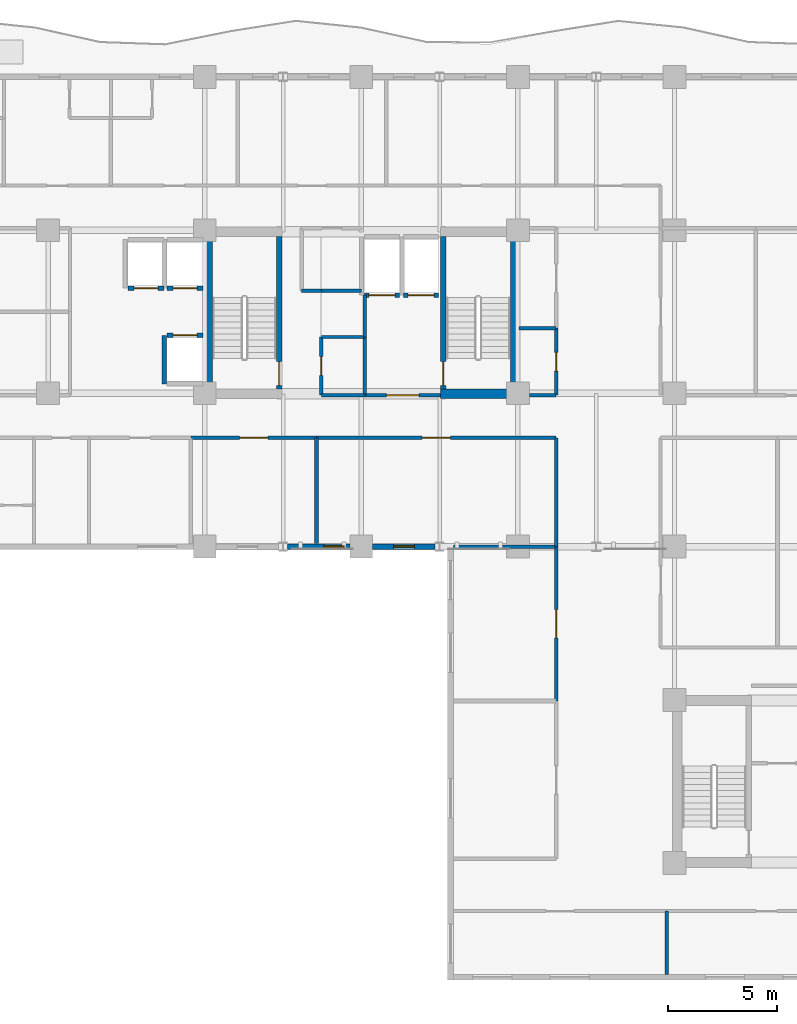
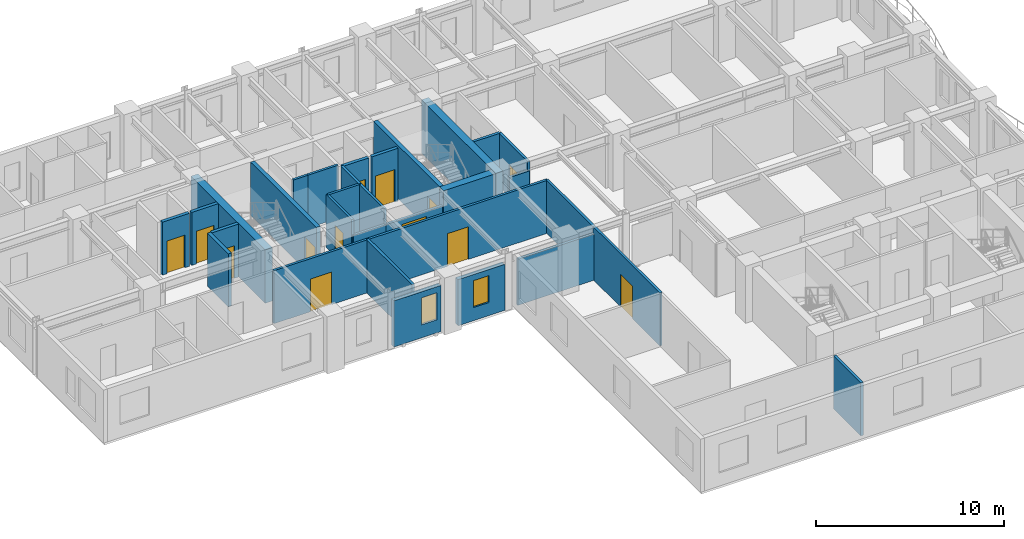
# One storey, part 5 of 13: 31 walls, 13 doors, 2 windows, 15 openings.
"""IFC4 building model written with IfcOpenShell, lengths in metres."""

from ifc_helpers import new_model, si_unit, direction, frame, frame_2d, origin, place, context, subcontext, project, spatial, rectangle, extrude, material, layer, layer_set, type_object, element, fill, save


model = new_model("IFC4")

# Units and contexts
model_context = context("Model", 3, precision=1e-05, world=origin(), true_north=direction((0.0, 1.0)))
body_context = subcontext(model_context, "Body", "Model", "MODEL_VIEW")
ifc_project = project(units=[si_unit("LENGTHUNIT", "METRE"), si_unit("AREAUNIT", "SQUARE_METRE"), si_unit("VOLUMEUNIT", "CUBIC_METRE"), si_unit("PLANEANGLEUNIT", "RADIAN"), si_unit("MASSUNIT", "GRAM", prefix="KILO")], contexts=[model_context])

# Site, building, storey
site_placement = place(None, origin())
site = spatial("IfcSite", under=ifc_project, at=site_placement, CompositionType="ELEMENT")
building_placement = place(site_placement, origin())
building = spatial("IfcBuilding", under=site, at=building_placement, Name="Kaliganga Portal Commons", CompositionType="ELEMENT")
storey_placement = place(building_placement, frame((0.0, 0.0, 158.699951171875)))
storey = spatial("IfcBuildingStorey", under=building, at=storey_placement, Name="L40", CompositionType="ELEMENT", Elevation=158.699951171875)

# Walls
ifc_material_1 = material(Name="Concrete C60/75", Category="concrete")
ifc_layer_1 = layer(ifc_material_1, 0.449951171875)
ifc_layer_set_1 = layer_set([ifc_layer_1], Name="Concrete C60/75")
wall_type_1 = type_object("IfcWallType", Name="WL-CORE-450", PredefinedType="SHEAR", material=ifc_layer_set_1)
for number, where, z_axis, x_axis, name in (
    (1, (14.52490234375, 28.39990234375, 0.0), (0.0, 0.0, 1.0), (0.0, 1.0, 0.0), "Core A West Shear Wall L40"),
    (2, (28.675048828125, 28.39990234375, 0.0), (0.0, 0.0, 1.0), (0.0, 1.0, 0.0), "Core A East Shear Wall L40"),
):
    element("IfcWall", number, at=place(storey_placement, frame(where, z_axis=z_axis, x_axis=x_axis)), inside=storey, type_object=wall_type_1, Name=name, PredefinedType="SHEAR", context=body_context, shape_type="SweptSolid", body=[
        extrude(rectangle(XDim=7.900146484375, YDim=0.449951171875, at=frame_2d((3.9501953125, 0.0))), origin(), (0.0, 0.0, 1.0), 3.4599609375),
    ])
wall_1_placement = place(storey_placement, frame((25.25, 28.625, 0.0), z_axis=(0.0, 0.0, 1.0), x_axis=(1.0, 0.0, 0.0)))
element("IfcWall", 3, at=wall_1_placement, inside=storey, type_object=wall_type_1, Name="Core A S-East Shear Wall L40", PredefinedType="SHEAR", context=body_context, shape_type="SweptSolid", body=[
    extrude(rectangle(XDim=3.199951171875, YDim=0.449951171875, at=frame_2d((1.60009765625, 0.0))), origin(), (0.0, 0.0, 1.0), 3.4599609375),
])

# Wall, opening, window
ifc_material_2 = material(Name="Insulated Aluminium-Clad Spandrel Assembly", Category="aluminium")
ifc_layer_2 = layer(ifc_material_2, 0.260009765625)
ifc_layer_set_2 = layer_set([ifc_layer_2], Name="Insulated Aluminium-Clad Spandrel Assembly")
wall_type_2 = type_object("IfcWallType", Name="WL-EXT-SPAND-260", PredefinedType="STANDARD", material=ifc_layer_set_2)
wall_2_placement = place(storey_placement, frame((21.073974609375, 21.60009765625, 0.0), z_axis=(0.0, 0.0, 1.0), x_axis=(-1.0, 0.0, 0.0)))
wall_2 = element("IfcWall", 4, at=wall_2_placement, inside=storey, type_object=wall_type_2, Name="Exterior Envelope Wall L40 P1-E04-S3", PredefinedType="STANDARD", context=body_context, shape_type="SweptSolid", body=[
    extrude(rectangle(XDim=2.87109375, YDim=0.260009765625, at=frame_2d((1.435546875, 0.0))), origin(), (0.0, 0.0, 1.0), 2.989990234375),
])
opening_1_placement = place(wall_2_placement, frame((0.24853515625, 0.0, 0.85009765625)))
opening_1 = element("IfcOpeningElement", 5, at=opening_1_placement, cuts=wall_2, Name="Opening W-04", PredefinedType="OPENING", context=body_context, shape_type="SweptSolid", body=[
    extrude(rectangle(XDim=0.949951171875, YDim=1.75, at=frame_2d((0.47509765625, 0.875))), frame((0.0, 0.14013671875, 0.0), z_axis=(0.0, -1.0, 0.0), x_axis=(1.0, 0.0, 0.0)), (0.0, 0.0, 1.0), 0.280029296875),
])
ifc_material_3 = material(Name="Thermally Broken Aluminium and Low-E Double Glazing", Category="aluminium")
window_type = type_object("IfcWindowType", Name="WIN-NARROW-950", PartitioningType="SINGLE_PANEL", PredefinedType="WINDOW", material=ifc_material_3)
window_1_placement = place(opening_1_placement, origin())
window_1 = element("IfcWindow", 6, at=window_1_placement, inside=storey, type_object=window_type, Name="Facade Window L40-P1E04S3-N1", OverallHeight=1.75, OverallWidth=0.949951171875, PartitioningType="SINGLE_PANEL", PredefinedType="WINDOW", context=body_context, shape_type="SweptSolid", body=[
    extrude(rectangle(XDim=0.949951171875, YDim=1.75, at=frame_2d((0.47509765625, 0.875))), frame((0.0, 0.030029296875, 0.0), z_axis=(0.0, -1.0, 0.0), x_axis=(1.0, 0.0, 0.0)), (0.0, 0.0, 1.0), 0.06005859375),
])
fill(opening_1, window_1)

wall_3_placement = place(storey_placement, frame((24.9970703125, 21.60009765625, 0.0), z_axis=(0.0, 0.0, 1.0), x_axis=(-1.0, 0.0, 0.0)))
wall_3 = element("IfcWall", 7, at=wall_3_placement, inside=storey, type_object=wall_type_2, Name="Exterior Envelope Wall L40 P1-E04-S4", PredefinedType="STANDARD", context=body_context, shape_type="SweptSolid", body=[
    extrude(rectangle(XDim=2.87109375, YDim=0.260009765625, at=frame_2d((1.435546875, 0.0))), origin(), (0.0, 0.0, 1.0), 2.989990234375),
])
opening_2_placement = place(wall_3_placement, frame((0.96044921875, 0.0, 0.85009765625)))
opening_2 = element("IfcOpeningElement", 8, at=opening_2_placement, cuts=wall_3, Name="Opening W-04", PredefinedType="OPENING", context=body_context, shape_type="SweptSolid", body=[
    extrude(rectangle(XDim=0.949951171875, YDim=1.75, at=frame_2d((0.47509765625, 0.875))), frame((0.0, 0.14013671875, 0.0), z_axis=(0.0, -1.0, 0.0), x_axis=(1.0, 0.0, 0.0)), (0.0, 0.0, 1.0), 0.280029296875),
])
window_2_placement = place(opening_2_placement, origin())
window_2 = element("IfcWindow", 9, at=window_2_placement, inside=storey, type_object=window_type, Name="Facade Window L40-P1E04S4-00", OverallHeight=1.75, OverallWidth=0.949951171875, PartitioningType="SINGLE_PANEL", PredefinedType="WINDOW", context=body_context, shape_type="SweptSolid", body=[
    extrude(rectangle(XDim=0.949951171875, YDim=1.75, at=frame_2d((0.47509765625, 0.875))), frame((0.0, 0.030029296875, 0.0), z_axis=(0.0, -1.0, 0.0), x_axis=(1.0, 0.0, 0.0)), (0.0, 0.0, 1.0), 0.06005859375),
])
fill(opening_2, window_2)

# Wall, opening, door
ifc_material_4 = material(Name="Fire-Rated Gypsum Board on Steel Stud", Category="steel")
ifc_layer_3 = layer(ifc_material_4, 0.14990234375)
ifc_layer_set_3 = layer_set([ifc_layer_3], Name="Fire-Rated Gypsum Board on Steel Stud")
wall_type_3 = type_object("IfcWallType", Name="WL-PART-CORR-150", PredefinedType="PARTITIONING", material=ifc_layer_set_3)
wall_4_placement = place(storey_placement, frame((19.5400390625, 26.60009765625, 0.0), z_axis=(0.0, 0.0, 1.0), x_axis=(1.0, 0.0, 0.0)))
wall_4 = element("IfcWall", 10, at=wall_4_placement, inside=storey, type_object=wall_type_3, Name="Interior Partition L40-012", PredefinedType="PARTITIONING", context=body_context, shape_type="SweptSolid", body=[
    extrude(rectangle(XDim=11.02001953125, YDim=0.14990234375, at=frame_2d((5.510009765625, 0.0))), origin(), (0.0, 0.0, 1.0), 3.43994140625),
])
opening_3_placement = place(wall_4_placement, frame((4.860107421875, 0.0, 0.0)))
opening_3 = element("IfcOpeningElement", 11, at=opening_3_placement, cuts=wall_4, Name="Opening RD-03", PredefinedType="OPENING", context=body_context, shape_type="SweptSolid", body=[
    extrude(rectangle(XDim=1.300048828125, YDim=2.1201171875, at=frame_2d((0.64990234375, 1.06005859375))), frame((0.0, 0.0849609375, 0.0), z_axis=(0.0, -1.0, 0.0), x_axis=(1.0, 0.0, 0.0)), (0.0, 0.0, 1.0), 0.169921875),
])
ifc_material_5 = material(Name="Glazed Timber Seminar Vision Door", Category="wood")
door_type_1 = type_object("IfcDoorType", Name="DR-STUDY-1300", OperationType="DOUBLE_DOOR_SINGLE_SWING", PredefinedType="DOOR", material=ifc_material_5)
door_1_placement = place(opening_3_placement, origin())
door_1 = element("IfcDoor", 12, at=door_1_placement, inside=storey, type_object=door_type_1, Name="Interior Door L40-AS05", OperationType="DOUBLE_DOOR_SINGLE_SWING", OverallHeight=2.1201171875, OverallWidth=1.300048828125, PredefinedType="DOOR", context=body_context, shape_type="SweptSolid", body=[
    extrude(rectangle(XDim=1.300048828125, YDim=2.1201171875, at=frame_2d((0.64990234375, 1.06005859375))), frame((0.0, 0.02490234375, 0.0), z_axis=(0.0, -1.0, 0.0), x_axis=(1.0, 0.0, 0.0)), (0.0, 0.0, 1.0), 0.050048828125),
])
fill(opening_3, door_1)

wall_5_placement = place(storey_placement, frame((30.56005859375, 14.5, 0.0), z_axis=(0.0, 0.0, 1.0), x_axis=(0.0, 1.0, 0.0)))
wall_5 = element("IfcWall", 13, at=wall_5_placement, inside=storey, type_object=wall_type_3, Name="Interior Partition L40-024", PredefinedType="PARTITIONING", context=body_context, shape_type="SweptSolid", body=[
    extrude(rectangle(XDim=7.10009765625, YDim=0.14990234375, at=frame_2d((3.550048828125, 0.0))), origin(), (0.0, 0.0, 1.0), 3.43994140625),
])
opening_4_placement = place(wall_5_placement, frame((2.89990234375, 0.0, 0.0)))
opening_4 = element("IfcOpeningElement", 14, at=opening_4_placement, cuts=wall_5, Name="Opening RD-03", PredefinedType="OPENING", context=body_context, shape_type="SweptSolid", body=[
    extrude(rectangle(XDim=1.300048828125, YDim=2.1201171875, at=frame_2d((0.64990234375, 1.06005859375))), frame((0.0, 0.0849609375, 0.0), z_axis=(0.0, -1.0, 0.0), x_axis=(1.0, 0.0, 0.0)), (0.0, 0.0, 1.0), 0.169921875),
])
door_2_placement = place(opening_4_placement, origin())
door_2 = element("IfcDoor", 15, at=door_2_placement, inside=storey, type_object=door_type_1, Name="Interior Door L40-KW02", OperationType="DOUBLE_DOOR_SINGLE_SWING", OverallHeight=2.1201171875, OverallWidth=1.300048828125, PredefinedType="DOOR", context=body_context, shape_type="SweptSolid", body=[
    extrude(rectangle(XDim=1.300048828125, YDim=2.1201171875, at=frame_2d((0.64990234375, 1.06005859375))), frame((0.0, 0.02490234375, 0.0), z_axis=(0.0, -1.0, 0.0), x_axis=(1.0, 0.0, 0.0)), (0.0, 0.0, 1.0), 0.050048828125),
])
fill(opening_4, door_2)

wall_6_placement = place(storey_placement, frame((13.760009765625, 26.60009765625, 0.0), z_axis=(0.0, 0.0, 1.0), x_axis=(1.0, 0.0, 0.0)))
wall_6 = element("IfcWall", 16, at=wall_6_placement, inside=storey, type_object=wall_type_3, Name="Interior Partition L40-030", PredefinedType="PARTITIONING", context=body_context, shape_type="SweptSolid", body=[
    extrude(rectangle(XDim=5.780029296875, YDim=0.14990234375, at=frame_2d((2.89013671875, 0.0))), origin(), (0.0, 0.0, 1.0), 3.43994140625),
])
opening_5_placement = place(wall_6_placement, frame((2.239990234375, 0.0, 0.0)))
opening_5 = element("IfcOpeningElement", 17, at=opening_5_placement, cuts=wall_6, Name="Opening RD-03", PredefinedType="OPENING", context=body_context, shape_type="SweptSolid", body=[
    extrude(rectangle(XDim=1.300048828125, YDim=2.1201171875, at=frame_2d((0.64990234375, 1.06005859375))), frame((0.0, 0.0849609375, 0.0), z_axis=(0.0, -1.0, 0.0), x_axis=(1.0, 0.0, 0.0)), (0.0, 0.0, 1.0), 0.169921875),
])
door_3_placement = place(opening_5_placement, origin())
door_3 = element("IfcDoor", 18, at=door_3_placement, inside=storey, type_object=door_type_1, Name="Interior Door L40-AS04", OperationType="DOUBLE_DOOR_SINGLE_SWING", OverallHeight=2.1201171875, OverallWidth=1.300048828125, PredefinedType="DOOR", context=body_context, shape_type="SweptSolid", body=[
    extrude(rectangle(XDim=1.300048828125, YDim=2.1201171875, at=frame_2d((0.64990234375, 1.06005859375))), frame((0.0, 0.02490234375, 0.0), z_axis=(0.0, -1.0, 0.0), x_axis=(1.0, 0.0, 0.0)), (0.0, 0.0, 1.0), 0.050048828125),
])
fill(opening_5, door_3)

# Wall
wall_7_placement = place(storey_placement, frame((30.56005859375, 21.60009765625, 0.0), z_axis=(0.0, 0.0, 1.0), x_axis=(0.0, 1.0, 0.0)))
element("IfcWall", 19, at=wall_7_placement, inside=storey, type_object=wall_type_3, Name="Interior Partition L40-035", PredefinedType="PARTITIONING", context=body_context, shape_type="SweptSolid", body=[
    extrude(rectangle(XDim=5.0, YDim=0.14990234375, at=frame_2d((2.5, 0.0))), origin(), (0.0, 0.0, 1.0), 3.43994140625),
])

# Wall, opening, door
wall_8_placement = place(storey_placement, frame((30.56005859375, 28.56005859375, 0.0), z_axis=(0.0, 0.0, 1.0), x_axis=(0.0, 1.0, 0.0)))
wall_8 = element("IfcWall", 20, at=wall_8_placement, inside=storey, type_object=wall_type_3, Name="Interior Partition L40-051", PredefinedType="PARTITIONING", context=body_context, shape_type="SweptSolid", body=[
    extrude(rectangle(XDim=3.079833984375, YDim=0.14990234375, at=frame_2d((1.5400390625, 0.0))), origin(), (0.0, 0.0, 1.0), 3.43994140625),
])
opening_6_placement = place(wall_8_placement, frame((1.110107421875, 0.0, 0.0)))
opening_6 = element("IfcOpeningElement", 21, at=opening_6_placement, cuts=wall_8, Name="Opening WD-02", PredefinedType="OPENING", context=body_context, shape_type="SweptSolid", body=[
    extrude(rectangle(XDim=0.860107421875, YDim=2.02001953125, at=frame_2d((0.43017578125, 1.010009765625))), frame((0.0, 0.0849609375, 0.0), z_axis=(0.0, -1.0, 0.0), x_axis=(1.0, 0.0, 0.0)), (0.0, 0.0, 1.0), 0.169921875),
])
ifc_material_6 = material(Name="Fire-Rated Utility Closet Door", Category="wood")
door_type_2 = type_object("IfcDoorType", Name="DR-STORE-800", OperationType="NOTDEFINED", PredefinedType="DOOR", material=ifc_material_6)
door_4_placement = place(opening_6_placement, origin())
door_4 = element("IfcDoor", 22, at=door_4_placement, inside=storey, type_object=door_type_2, Name="Interior Door L40-CSRV_A1", OperationType="SINGLE_SWING_LEFT", OverallHeight=2.02001953125, OverallWidth=0.860107421875, PredefinedType="DOOR", context=body_context, shape_type="SweptSolid", body=[
    extrude(rectangle(XDim=0.860107421875, YDim=2.02001953125, at=frame_2d((0.43017578125, 1.010009765625))), frame((0.0, 0.02490234375, 0.0), z_axis=(0.0, -1.0, 0.0), x_axis=(1.0, 0.0, 0.0)), (0.0, 0.0, 1.0), 0.050048828125),
])
fill(opening_6, door_4)

wall_9_placement = place(storey_placement, frame((19.760009765625, 28.56005859375, 0.0), z_axis=(0.0, 0.0, 1.0), x_axis=(0.0, 1.0, 0.0)))
wall_9 = element("IfcWall", 23, at=wall_9_placement, inside=storey, type_object=wall_type_3, Name="Interior Partition L40-058", PredefinedType="PARTITIONING", context=body_context, shape_type="SweptSolid", body=[
    extrude(rectangle(XDim=2.679931640625, YDim=0.14990234375, at=frame_2d((1.33984375, 0.0))), origin(), (0.0, 0.0, 1.0), 3.43994140625),
])
opening_7_placement = place(wall_9_placement, frame((0.909912109375, 0.0, 0.0)))
opening_7 = element("IfcOpeningElement", 24, at=opening_7_placement, cuts=wall_9, Name="Opening WD-02", PredefinedType="OPENING", context=body_context, shape_type="SweptSolid", body=[
    extrude(rectangle(XDim=0.860107421875, YDim=2.02001953125, at=frame_2d((0.43017578125, 1.010009765625))), frame((0.0, 0.0849609375, 0.0), z_axis=(0.0, -1.0, 0.0), x_axis=(1.0, 0.0, 0.0)), (0.0, 0.0, 1.0), 0.169921875),
])
door_5_placement = place(opening_7_placement, origin())
door_5 = element("IfcDoor", 25, at=door_5_placement, inside=storey, type_object=door_type_2, Name="Interior Door L40-CIN_A1", OperationType="SINGLE_SWING_LEFT", OverallHeight=2.02001953125, OverallWidth=0.860107421875, PredefinedType="DOOR", context=body_context, shape_type="SweptSolid", body=[
    extrude(rectangle(XDim=0.860107421875, YDim=2.02001953125, at=frame_2d((0.43017578125, 1.010009765625))), frame((0.0, 0.02490234375, 0.0), z_axis=(0.0, -1.0, 0.0), x_axis=(1.0, 0.0, 0.0)), (0.0, 0.0, 1.0), 0.050048828125),
])
fill(opening_7, door_5)

# Walls
wall_10_placement = place(storey_placement, frame((21.760009765625, 28.56005859375, 0.0), z_axis=(0.0, 0.0, 1.0), x_axis=(0.0, 1.0, 0.0)))
element("IfcWall", 26, at=wall_10_placement, inside=storey, type_object=wall_type_3, Name="Interior Partition L40-059", PredefinedType="PARTITIONING", context=body_context, shape_type="SweptSolid", body=[
    extrude(rectangle(XDim=2.679931640625, YDim=0.14990234375, at=frame_2d((1.33984375, 0.0))), origin(), (0.0, 0.0, 1.0), 3.43994140625),
])
wall_11_placement = place(storey_placement, frame((19.760009765625, 28.56005859375, 0.0), z_axis=(0.0, 0.0, 1.0), x_axis=(1.0, 0.0, 0.0)))
element("IfcWall", 27, at=wall_11_placement, inside=storey, type_object=wall_type_3, Name="Interior Partition L40-061", PredefinedType="PARTITIONING", context=body_context, shape_type="SweptSolid", body=[
    extrude(rectangle(XDim=2.0, YDim=0.14990234375, at=frame_2d((1.0, 0.0))), origin(), (0.0, 0.0, 1.0), 2.43994140625),
])
wall_12_placement = place(storey_placement, frame((19.760009765625, 31.239990234375, 0.0), z_axis=(0.0, 0.0, 1.0), x_axis=(1.0, 0.0, 0.0)))
element("IfcWall", 28, at=wall_12_placement, inside=storey, type_object=wall_type_3, Name="Interior Partition L40-062", PredefinedType="PARTITIONING", context=body_context, shape_type="SweptSolid", body=[
    extrude(rectangle(XDim=2.0, YDim=0.14990234375, at=frame_2d((1.0, 0.0))), origin(), (0.0, 0.0, 1.0), 3.43994140625),
])
wall_13_placement = place(storey_placement, frame((19.760009765625, 33.360107421875, 0.0), z_axis=(0.0, 0.0, 1.0), x_axis=(1.0, 0.0, 0.0)))
element("IfcWall", 29, at=wall_13_placement, inside=storey, type_object=wall_type_3, Name="Interior Partition L40-064", PredefinedType="PARTITIONING", context=body_context, shape_type="SweptSolid", body=[
    extrude(rectangle(XDim=1.85009765625, YDim=0.14990234375, at=frame_2d((0.925048828125, 0.0))), origin(), (0.0, 0.0, 1.0), 3.43994140625),
])
wall_14_placement = place(storey_placement, frame((29.324951171875, 28.56005859375, 0.0), z_axis=(0.0, 0.0, 1.0), x_axis=(1.0, 0.0, 0.0)))
element("IfcWall", 30, at=wall_14_placement, inside=storey, type_object=wall_type_3, Name="Interior Partition L40-065", PredefinedType="PARTITIONING", context=body_context, shape_type="SweptSolid", body=[
    extrude(rectangle(XDim=1.235107421875, YDim=0.14990234375, at=frame_2d((0.61767578125, 0.0))), origin(), (0.0, 0.0, 1.0), 2.840087890625),
])
wall_15_placement = place(storey_placement, frame((18.860107421875, 33.360107421875, 0.0), z_axis=(0.0, 0.0, 1.0), x_axis=(1.0, 0.0, 0.0)))
element("IfcWall", 31, at=wall_15_placement, inside=storey, type_object=wall_type_3, Name="Interior Partition L40-067", PredefinedType="PARTITIONING", context=body_context, shape_type="SweptSolid", body=[
    extrude(rectangle(XDim=0.89990234375, YDim=0.14990234375, at=frame_2d((0.449951171875, 0.0))), origin(), (0.0, 0.0, 1.0), 3.43994140625),
])

# Wall, opening, door
wall_16_placement = place(storey_placement, frame((21.760009765625, 28.56005859375, 0.0), z_axis=(0.0, 0.0, 1.0), x_axis=(1.0, 0.0, 0.0)))
wall_16 = element("IfcWall", 32, at=wall_16_placement, inside=storey, type_object=wall_type_3, Name="Interior Partition L40-088", PredefinedType="PARTITIONING", context=body_context, shape_type="SweptSolid", body=[
    extrude(rectangle(XDim=3.47998046875, YDim=0.14990234375, at=frame_2d((1.739990234375, 0.0))), origin(), (0.0, 0.0, 1.0), 2.43994140625),
])
opening_8_placement = place(wall_16_placement, frame((0.989990234375, 0.0, 0.0)))
opening_8 = element("IfcOpeningElement", 33, at=opening_8_placement, cuts=wall_16, Name="Opening FD-01", PredefinedType="OPENING", context=body_context, shape_type="SweptSolid", body=[
    extrude(rectangle(XDim=1.5, YDim=2.10009765625, at=frame_2d((0.75, 1.050048828125))), frame((0.0, 0.0849609375, 0.0), z_axis=(0.0, -1.0, 0.0), x_axis=(1.0, 0.0, 0.0)), (0.0, 0.0, 1.0), 0.169921875),
])
ifc_material_7 = material(Name="Fire-Rated Hardwood and Georgian-Wired Vision Panel", Category="wood")
door_type_3 = type_object("IfcDoorType", Name="DR-LOBBY-1500", OperationType="DOUBLE_DOOR_SINGLE_SWING", PredefinedType="DOOR", material=ifc_material_7)
door_6_placement = place(opening_8_placement, origin())
door_6 = element("IfcDoor", 34, at=door_6_placement, inside=storey, type_object=door_type_3, Name="Interior Door L40-FFLOB_A", OperationType="DOUBLE_DOOR_SINGLE_SWING", OverallHeight=2.10009765625, OverallWidth=1.5, PredefinedType="DOOR", context=body_context, shape_type="SweptSolid", body=[
    extrude(rectangle(XDim=1.5, YDim=2.10009765625, at=frame_2d((0.75, 1.050048828125))), frame((0.0, 0.02490234375, 0.0), z_axis=(0.0, -1.0, 0.0), x_axis=(1.0, 0.0, 0.0)), (0.0, 0.0, 1.0), 0.050048828125),
])
fill(opening_8, door_6)

# Walls
wall_17_placement = place(storey_placement, frame((21.760009765625, 31.239990234375, 0.0), z_axis=(0.0, 0.0, 1.0), x_axis=(0.0, 1.0, 0.0)))
element("IfcWall", 35, at=wall_17_placement, inside=storey, type_object=wall_type_3, Name="Interior Partition L40-094", PredefinedType="PARTITIONING", context=body_context, shape_type="SweptSolid", body=[
    extrude(rectangle(XDim=1.919921875, YDim=0.14990234375, at=frame_2d((0.9599609375, 0.0))), origin(), (0.0, 0.0, 1.0), 3.43994140625),
])
ifc_material_8 = material(Name="Twin-Stud Acoustic Gypsum Partition", Category="gypsum")
ifc_layer_4 = layer(ifc_material_8, 0.1650390625)
ifc_layer_set_4 = layer_set([ifc_layer_4], Name="Twin-Stud Acoustic Gypsum Partition")
wall_type_4 = type_object("IfcWallType", Name="WL-PART-UNIT-165", PredefinedType="PARTITIONING", material=ifc_layer_set_4)
wall_18_placement = place(storey_placement, frame((19.5400390625, 21.73193359375, 0.0), z_axis=(0.0, 0.0, 1.0), x_axis=(0.0, 1.0, 0.0)))
element("IfcWall", 36, at=wall_18_placement, inside=storey, type_object=wall_type_4, Name="Interior Partition L40-079", PredefinedType="PARTITIONING", context=body_context, shape_type="SweptSolid", body=[
    extrude(rectangle(XDim=4.8681640625, YDim=0.1650390625, at=frame_2d((2.43408203125, 0.0))), origin(), (0.0, 0.0, 1.0), 3.43994140625),
])
wall_19_placement = place(storey_placement, frame((25.83203125, 21.60009765625, 0.0), z_axis=(0.0, 0.0, 1.0), x_axis=(1.0, 0.0, 0.0)))
element("IfcWall", 37, at=wall_19_placement, inside=storey, type_object=wall_type_4, Name="Interior Partition L40-083", PredefinedType="PARTITIONING", context=body_context, shape_type="SweptSolid", body=[
    extrude(rectangle(XDim=4.72802734375, YDim=0.1650390625, at=frame_2d((2.364013671875, 0.0))), origin(), (0.0, 0.0, 1.0), 2.989990234375),
])
wall_20_placement = place(storey_placement, frame((35.639892578125, 1.931884765625, 0.0), z_axis=(0.0, 0.0, 1.0), x_axis=(0.0, 1.0, 0.0)))
element("IfcWall", 38, at=wall_20_placement, inside=storey, type_object=wall_type_4, Name="Interior Partition L40-092", PredefinedType="PARTITIONING", context=body_context, shape_type="SweptSolid", body=[
    extrude(rectangle(XDim=2.908203125, YDim=0.1650390625, at=frame_2d((1.4541015625, 0.0))), origin(), (0.0, 0.0, 1.0), 3.43994140625),
])
wall_21_placement = place(storey_placement, frame((28.840087890625, 31.639892578125, 0.0), z_axis=(0.0, 0.0, 1.0), x_axis=(1.0, 0.0, 0.0)))
element("IfcWall", 39, at=wall_21_placement, inside=storey, type_object=wall_type_4, Name="Interior Partition L40-095", PredefinedType="PARTITIONING", context=body_context, shape_type="SweptSolid", body=[
    extrude(rectangle(XDim=1.719970703125, YDim=0.1650390625, at=frame_2d((0.85986328125, 0.0))), origin(), (0.0, 0.0, 1.0), 3.43994140625),
])

# Wall, opening, door
ifc_material_9 = material(Name="Fire-Rated Shaftwall Masonry Assembly", Category="masonry")
ifc_layer_5 = layer(ifc_material_9, 0.199951171875)
ifc_layer_set_5 = layer_set([ifc_layer_5], Name="Fire-Rated Shaftwall Masonry Assembly")
wall_type_5 = type_object("IfcWallType", Name="WL-SHAFT-200", PredefinedType="PARTITIONING", material=ifc_layer_set_5)
wall_22_placement = place(storey_placement, frame((12.675048828125, 33.485107421875, 0.0), z_axis=(0.0, 0.0, 1.0), x_axis=(1.0, 0.0, 0.0)))
wall_22 = element("IfcWall", 40, at=wall_22_placement, inside=storey, type_object=wall_type_5, Name="Lift PL-A3 Hoistway Shaft Wall L40-S", PredefinedType="PARTITIONING", context=body_context, shape_type="SweptSolid", body=[
    extrude(rectangle(XDim=1.64990234375, YDim=0.199951171875, at=frame_2d((0.824951171875, 0.0))), origin(), (0.0, 0.0, 1.0), 3.43994140625),
])
opening_9_placement = place(wall_22_placement, frame((0.27490234375, 0.0, 0.0)))
opening_9 = element("IfcOpeningElement", 41, at=opening_9_placement, cuts=wall_22, Name="Opening LD-01", PredefinedType="OPENING", context=body_context, shape_type="SweptSolid", body=[
    extrude(rectangle(XDim=1.10009765625, YDim=2.1201171875, at=frame_2d((0.550048828125, 1.06005859375))), frame((0.0, 0.10986328125, 0.0), z_axis=(0.0, -1.0, 0.0), x_axis=(1.0, 0.0, 0.0)), (0.0, 0.0, 1.0), 0.219970703125),
])
ifc_material_10 = material(Name="Brushed Stainless Steel 316 Lift Landing Door", Category="steel")
door_type_4 = type_object("IfcDoorType", Name="DR-LIFT-1100", OperationType="SLIDING_TO_LEFT", PredefinedType="DOOR", material=ifc_material_10)
door_7_placement = place(opening_9_placement, origin())
door_7 = element("IfcDoor", 42, at=door_7_placement, inside=storey, type_object=door_type_4, Name="Lift PL-A3 Sliding Landing Door L40", OperationType="SLIDING_TO_LEFT", OverallHeight=2.1201171875, OverallWidth=1.10009765625, PredefinedType="DOOR", context=body_context, shape_type="SweptSolid", body=[
    extrude(rectangle(XDim=1.10009765625, YDim=2.1201171875, at=frame_2d((0.550048828125, 1.06005859375))), frame((0.0, 0.02490234375, 0.0), z_axis=(0.0, -1.0, 0.0), x_axis=(1.0, 0.0, 0.0)), (0.0, 0.0, 1.0), 0.050048828125),
])
fill(opening_9, door_7)

wall_23_placement = place(storey_placement, frame((12.675048828125, 31.31494140625, 0.0), z_axis=(0.0, 0.0, 1.0), x_axis=(1.0, 0.0, 0.0)))
wall_23 = element("IfcWall", 43, at=wall_23_placement, inside=storey, type_object=wall_type_5, Name="Lift PL-A4 Hoistway Shaft Wall L40-N", PredefinedType="PARTITIONING", context=body_context, shape_type="SweptSolid", body=[
    extrude(rectangle(XDim=1.64990234375, YDim=0.199951171875, at=frame_2d((0.824951171875, 0.0))), origin(), (0.0, 0.0, 1.0), 3.43994140625),
])
opening_10_placement = place(wall_23_placement, frame((0.27490234375, 0.0, 0.0)))
opening_10 = element("IfcOpeningElement", 44, at=opening_10_placement, cuts=wall_23, Name="Opening LD-01", PredefinedType="OPENING", context=body_context, shape_type="SweptSolid", body=[
    extrude(rectangle(XDim=1.10009765625, YDim=2.1201171875, at=frame_2d((0.550048828125, 1.06005859375))), frame((0.0, 0.10986328125, 0.0), z_axis=(0.0, -1.0, 0.0), x_axis=(1.0, 0.0, 0.0)), (0.0, 0.0, 1.0), 0.219970703125),
])
door_8_placement = place(opening_10_placement, origin())
door_8 = element("IfcDoor", 45, at=door_8_placement, inside=storey, type_object=door_type_4, Name="Lift PL-A4 Sliding Landing Door L40", OperationType="SLIDING_TO_LEFT", OverallHeight=2.1201171875, OverallWidth=1.10009765625, PredefinedType="DOOR", context=body_context, shape_type="SweptSolid", body=[
    extrude(rectangle(XDim=1.10009765625, YDim=2.1201171875, at=frame_2d((0.550048828125, 1.06005859375))), frame((0.0, 0.02490234375, 0.0), z_axis=(0.0, -1.0, 0.0), x_axis=(1.0, 0.0, 0.0)), (0.0, 0.0, 1.0), 0.050048828125),
])
fill(opening_10, door_8)

# Wall
wall_24_placement = place(storey_placement, frame((12.534912109375, 29.0849609375, 0.0), z_axis=(0.0, 0.0, 1.0), x_axis=(0.0, 1.0, 0.0)))
element("IfcWall", 46, at=wall_24_placement, inside=storey, type_object=wall_type_5, Name="Lift PL-A4 Hoistway Shaft Wall L40-W", PredefinedType="PARTITIONING", context=body_context, shape_type="SweptSolid", body=[
    extrude(rectangle(XDim=2.22998046875, YDim=0.199951171875, at=frame_2d((1.114990234375, 0.0))), origin(), (0.0, 0.0, 1.0), 3.43994140625),
])

# Wall, opening, door
wall_25_placement = place(storey_placement, frame((10.875, 33.485107421875, 0.0), z_axis=(0.0, 0.0, 1.0), x_axis=(1.0, 0.0, 0.0)))
wall_25 = element("IfcWall", 47, at=wall_25_placement, inside=storey, type_object=wall_type_5, Name="Lift PL-OBS Hoistway Shaft Wall L40-S", PredefinedType="PARTITIONING", context=body_context, shape_type="SweptSolid", body=[
    extrude(rectangle(XDim=1.64990234375, YDim=0.199951171875, at=frame_2d((0.824951171875, 0.0))), origin(), (0.0, 0.0, 1.0), 3.43994140625),
])
opening_11_placement = place(wall_25_placement, frame((0.27490234375, 0.0, 0.0)))
opening_11 = element("IfcOpeningElement", 48, at=opening_11_placement, cuts=wall_25, Name="Opening LD-01", PredefinedType="OPENING", context=body_context, shape_type="SweptSolid", body=[
    extrude(rectangle(XDim=1.10009765625, YDim=2.1201171875, at=frame_2d((0.550048828125, 1.06005859375))), frame((0.0, 0.10986328125, 0.0), z_axis=(0.0, -1.0, 0.0), x_axis=(1.0, 0.0, 0.0)), (0.0, 0.0, 1.0), 0.219970703125),
])
door_9_placement = place(opening_11_placement, origin())
door_9 = element("IfcDoor", 49, at=door_9_placement, inside=storey, type_object=door_type_4, Name="Lift PL-OBS Sliding Landing Door L40", OperationType="SLIDING_TO_LEFT", OverallHeight=2.1201171875, OverallWidth=1.10009765625, PredefinedType="DOOR", context=body_context, shape_type="SweptSolid", body=[
    extrude(rectangle(XDim=1.10009765625, YDim=2.1201171875, at=frame_2d((0.550048828125, 1.06005859375))), frame((0.0, 0.02490234375, 0.0), z_axis=(0.0, -1.0, 0.0), x_axis=(1.0, 0.0, 0.0)), (0.0, 0.0, 1.0), 0.050048828125),
])
fill(opening_11, door_9)

wall_26_placement = place(storey_placement, frame((21.75, 33.159912109375, 0.0), z_axis=(0.0, 0.0, 1.0), x_axis=(1.0, 0.0, 0.0)))
wall_26 = element("IfcWall", 50, at=wall_26_placement, inside=storey, type_object=wall_type_5, Name="Lift FFL-1 Hoistway Shaft Wall L40-S", PredefinedType="PARTITIONING", context=body_context, shape_type="SweptSolid", body=[
    extrude(rectangle(XDim=1.60009765625, YDim=0.199951171875, at=frame_2d((0.800048828125, 0.0))), origin(), (0.0, 0.0, 1.0), 3.43994140625),
])
opening_12_placement = place(wall_26_placement, frame((0.199951171875, 0.0, 0.0)))
opening_12 = element("IfcOpeningElement", 51, at=opening_12_placement, cuts=wall_26, Name="Opening LD-02", PredefinedType="OPENING", context=body_context, shape_type="SweptSolid", body=[
    extrude(rectangle(XDim=1.199951171875, YDim=2.1201171875, at=frame_2d((0.60009765625, 1.06005859375))), frame((0.0, 0.10986328125, 0.0), z_axis=(0.0, -1.0, 0.0), x_axis=(1.0, 0.0, 0.0)), (0.0, 0.0, 1.0), 0.219970703125),
])
ifc_material_11 = material(Name="Brushed Stainless Steel 316 Stretcher Lift Landing Door", Category="steel")
door_type_5 = type_object("IfcDoorType", Name="DR-LIFT-1200", OperationType="SLIDING_TO_RIGHT", PredefinedType="DOOR", material=ifc_material_11)
door_10_placement = place(opening_12_placement, origin())
door_10 = element("IfcDoor", 52, at=door_10_placement, inside=storey, type_object=door_type_5, Name="Lift FFL-1 Sliding Landing Door L40", OperationType="SLIDING_TO_RIGHT", OverallHeight=2.1201171875, OverallWidth=1.199951171875, PredefinedType="DOOR", context=body_context, shape_type="SweptSolid", body=[
    extrude(rectangle(XDim=1.199951171875, YDim=2.1201171875, at=frame_2d((0.60009765625, 1.06005859375))), frame((0.0, 0.02490234375, 0.0), z_axis=(0.0, -1.0, 0.0), x_axis=(1.0, 0.0, 0.0)), (0.0, 0.0, 1.0), 0.050048828125),
])
fill(opening_12, door_10)

wall_27_placement = place(storey_placement, frame((23.550048828125, 33.159912109375, 0.0), z_axis=(0.0, 0.0, 1.0), x_axis=(1.0, 0.0, 0.0)))
wall_27 = element("IfcWall", 53, at=wall_27_placement, inside=storey, type_object=wall_type_5, Name="Lift FFL-2 Hoistway Shaft Wall L40-S", PredefinedType="PARTITIONING", context=body_context, shape_type="SweptSolid", body=[
    extrude(rectangle(XDim=1.599853515625, YDim=0.199951171875, at=frame_2d((0.7998046875, 0.0))), origin(), (0.0, 0.0, 1.0), 3.43994140625),
])
opening_13_placement = place(wall_27_placement, frame((0.199951171875, 0.0, 0.0)))
opening_13 = element("IfcOpeningElement", 54, at=opening_13_placement, cuts=wall_27, Name="Opening LD-02", PredefinedType="OPENING", context=body_context, shape_type="SweptSolid", body=[
    extrude(rectangle(XDim=1.199951171875, YDim=2.1201171875, at=frame_2d((0.60009765625, 1.06005859375))), frame((0.0, 0.10986328125, 0.0), z_axis=(0.0, -1.0, 0.0), x_axis=(1.0, 0.0, 0.0)), (0.0, 0.0, 1.0), 0.219970703125),
])
door_11_placement = place(opening_13_placement, origin())
door_11 = element("IfcDoor", 55, at=door_11_placement, inside=storey, type_object=door_type_5, Name="Lift FFL-2 Sliding Landing Door L40", OperationType="SLIDING_TO_RIGHT", OverallHeight=2.1201171875, OverallWidth=1.199951171875, PredefinedType="DOOR", context=body_context, shape_type="SweptSolid", body=[
    extrude(rectangle(XDim=1.199951171875, YDim=2.1201171875, at=frame_2d((0.60009765625, 1.06005859375))), frame((0.0, 0.02490234375, 0.0), z_axis=(0.0, -1.0, 0.0), x_axis=(1.0, 0.0, 0.0)), (0.0, 0.0, 1.0), 0.050048828125),
])
fill(opening_13, door_11)

ifc_material_12 = material(Name="Concrete C50/60", Category="concrete")
ifc_layer_6 = layer(ifc_material_12, 0.25)
ifc_layer_set_6 = layer_set([ifc_layer_6], Name="Concrete C50/60")
wall_type_6 = type_object("IfcWallType", Name="WL-STAIR-250", PredefinedType="SHEAR", material=ifc_layer_set_6)
wall_28_placement = place(storey_placement, frame((17.824951171875, 28.85009765625, 0.0), z_axis=(0.0, 0.0, 1.0), x_axis=(0.0, 1.0, 0.0)))
wall_28 = element("IfcWall", 56, at=wall_28_placement, inside=storey, type_object=wall_type_6, Name="Stair A1 Enclosure Shear Wall L40", PredefinedType="SHEAR", context=body_context, shape_type="SweptSolid", body=[
    extrude(rectangle(XDim=7.0, YDim=0.25, at=frame_2d((3.5, 0.0))), origin(), (0.0, 0.0, 1.0), 3.4599609375),
])
opening_14_placement = place(wall_28_placement, frame((0.14990234375, 0.0, 0.0)))
opening_14 = element("IfcOpeningElement", 57, at=opening_14_placement, cuts=wall_28, Name="Opening SD-01", PredefinedType="OPENING", context=body_context, shape_type="SweptSolid", body=[
    extrude(rectangle(XDim=1.10009765625, YDim=2.080078125, at=frame_2d((0.550048828125, 1.0400390625))), frame((0.0, 0.135009765625, 0.0), z_axis=(0.0, -1.0, 0.0), x_axis=(1.0, 0.0, 0.0)), (0.0, 0.0, 1.0), 0.27001953125),
])
ifc_material_13 = material(Name="Galvanized Steel Fire Door Leaf and Frame", Category="steel")
door_type_6 = type_object("IfcDoorType", Name="DR-STAIR-1100", OperationType="NOTDEFINED", PredefinedType="DOOR", material=ifc_material_13)
door_12_placement = place(opening_14_placement, origin())
door_12 = element("IfcDoor", 58, at=door_12_placement, inside=storey, type_object=door_type_6, Name="Protected Stair ST-A1 Fire Door L40", OperationType="SINGLE_SWING_RIGHT", OverallHeight=2.080078125, OverallWidth=1.10009765625, PredefinedType="DOOR", context=body_context, shape_type="SweptSolid", body=[
    extrude(rectangle(XDim=1.10009765625, YDim=2.080078125, at=frame_2d((0.550048828125, 1.0400390625))), frame((0.0, 0.02490234375, 0.0), z_axis=(0.0, -1.0, 0.0), x_axis=(1.0, 0.0, 0.0)), (0.0, 0.0, 1.0), 0.050048828125),
])
fill(opening_14, door_12)

wall_29_placement = place(storey_placement, frame((25.375, 28.85009765625, 0.0), z_axis=(0.0, 0.0, 1.0), x_axis=(0.0, 1.0, 0.0)))
wall_29 = element("IfcWall", 59, at=wall_29_placement, inside=storey, type_object=wall_type_6, Name="Stair A2 Enclosure Shear Wall L40", PredefinedType="SHEAR", context=body_context, shape_type="SweptSolid", body=[
    extrude(rectangle(XDim=7.0, YDim=0.25, at=frame_2d((3.5, 0.0))), origin(), (0.0, 0.0, 1.0), 3.4599609375),
])
opening_15_placement = place(wall_29_placement, frame((0.14990234375, 0.0, 0.0)))
opening_15 = element("IfcOpeningElement", 60, at=opening_15_placement, cuts=wall_29, Name="Opening SD-01", PredefinedType="OPENING", context=body_context, shape_type="SweptSolid", body=[
    extrude(rectangle(XDim=1.10009765625, YDim=2.080078125, at=frame_2d((0.550048828125, 1.0400390625))), frame((0.0, 0.135009765625, 0.0), z_axis=(0.0, -1.0, 0.0), x_axis=(1.0, 0.0, 0.0)), (0.0, 0.0, 1.0), 0.27001953125),
])
door_13_placement = place(opening_15_placement, origin())
door_13 = element("IfcDoor", 61, at=door_13_placement, inside=storey, type_object=door_type_6, Name="Protected Stair ST-A2 Fire Door L40", OperationType="SINGLE_SWING_LEFT", OverallHeight=2.080078125, OverallWidth=1.10009765625, PredefinedType="DOOR", context=body_context, shape_type="SweptSolid", body=[
    extrude(rectangle(XDim=1.10009765625, YDim=2.080078125, at=frame_2d((0.550048828125, 1.0400390625))), frame((0.0, 0.02490234375, 0.0), z_axis=(0.0, -1.0, 0.0), x_axis=(1.0, 0.0, 0.0)), (0.0, 0.0, 1.0), 0.050048828125),
])
fill(opening_15, door_13)

save(model, "model.ifc")
